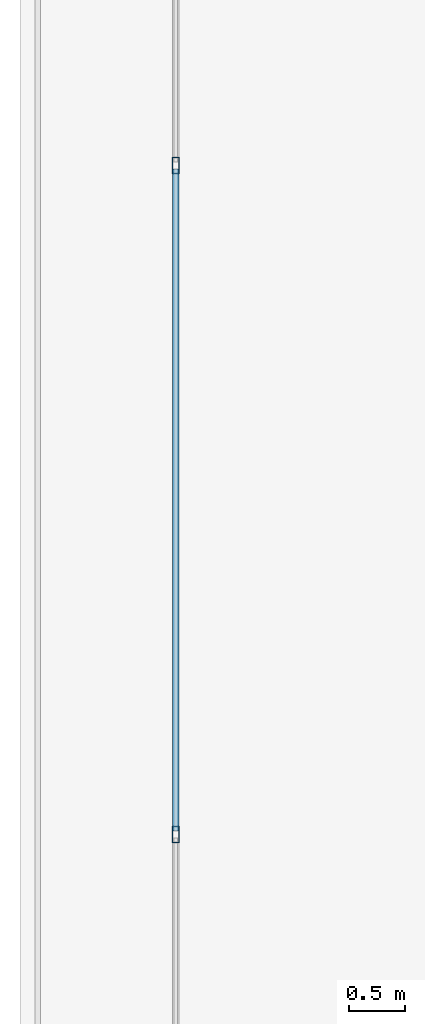
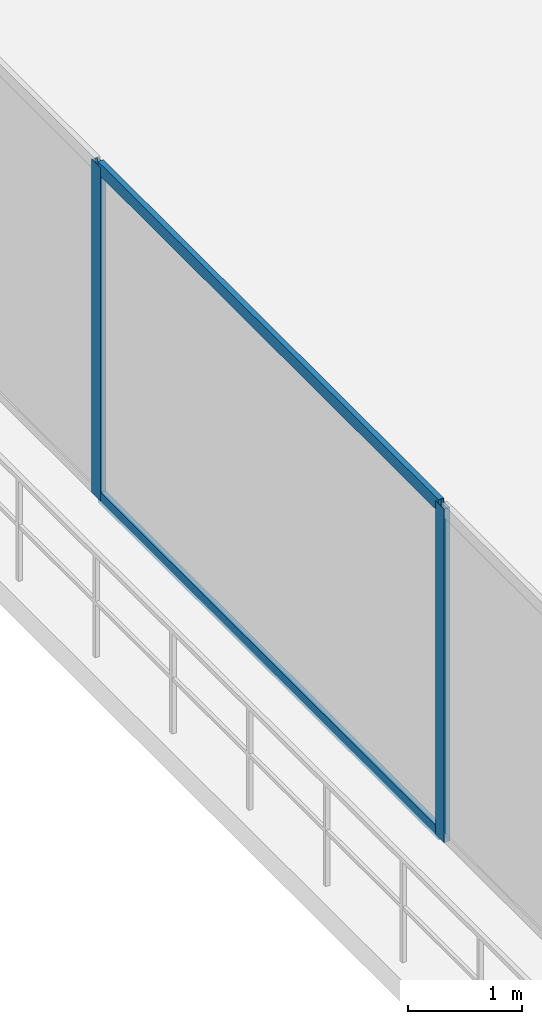
# One storey, part 4 of 19: 4 members, 1 element without a shape of its own.
"""IFC4 building model written with IfcOpenShell, lengths in metres."""

import ifcopenshell
import ifcopenshell.guid

model = None  # the IFC model being written
_history = None  # IfcOwnerHistory: only IFC2X3 demands one
_inside = {}  # id of a spatial element -> (the spatial element, [elements in it])
_under = {}  # id of a project, library or spatial element -> (it, [spatial elements below it])
_declared = {}  # id of a project -> (the project, [libraries it declares])
_typed = {}  # id of a type object -> (the type object, [elements of that type])
_made_of = {}  # id of a material, layer set ... -> (it, [elements and type objects made of it])


def new_model(schema):
    """Start an empty IFC model of exactly this schema.

    Asked for "IFC4X3", IfcOpenShell would pick the latest addendum, in which some entities
    have other attributes; the version numbers below select the first issue.
    IFC2X3 requires an IfcOwnerHistory on every rooted entity: one is made here for all.
    """
    global model, _history
    if schema == "IFC4X3":
        model = ifcopenshell.file(schema_version=(4, 3, 0, 0))
    else:
        model = ifcopenshell.file(schema=schema)
    _inside.clear()
    _under.clear()
    _declared.clear()
    _typed.clear()
    _made_of.clear()
    _history = None
    if model.schema == "IFC2X3":
        org = make("IfcOrganization", Name="unknown")
        user = make(
            "IfcPersonAndOrganization",
            ThePerson=make("IfcPerson", FamilyName="unknown"),
            TheOrganization=org,
        )
        app = make(
            "IfcApplication",
            ApplicationDeveloper=org,
            Version="unknown",
            ApplicationFullName="unknown",
            ApplicationIdentifier="unknown",
        )
        _history = make(
            "IfcOwnerHistory",
            OwningUser=user,
            OwningApplication=app,
            ChangeAction="ADDED",
            CreationDate=0,
        )
    return model


def make(cls, **values):
    """One entity of the class cls with the attributes given. An attribute that is None is left unset."""
    return model.create_entity(
        cls, **{name: value for name, value in values.items() if value is not None}
    )


def rooted(cls, **values):
    """An entity with a GlobalId (a new one), such as an element, a storey or a relation."""
    return make(cls, GlobalId=ifcopenshell.guid.new(), OwnerHistory=_history, **values)


def si_unit(unit_type, name, prefix=None):
    """IfcSIUnit, for example si_unit("LENGTHUNIT", "METRE", prefix="MILLI")."""
    return make("IfcSIUnit", UnitType=unit_type, Prefix=prefix, Name=name)


def assignment(units):
    """IfcUnitAssignment: the units of a project."""
    return None if units is None else make("IfcUnitAssignment", Units=units)


def point(xyz):
    """IfcCartesianPoint."""
    return None if xyz is None else make("IfcCartesianPoint", Coordinates=xyz)


def direction(xyz):
    """IfcDirection."""
    return None if xyz is None else make("IfcDirection", DirectionRatios=xyz)


def frame(location, z_axis=None, x_axis=None):
    """IfcAxis2Placement3D, a coordinate frame: its origin and axes. An axis left out is left unset."""
    return make(
        "IfcAxis2Placement3D",
        Location=point(location),
        Axis=direction(z_axis),
        RefDirection=direction(x_axis),
    )


def frame_2d(location, x_axis=None):
    """IfcAxis2Placement2D, a coordinate frame in the plane: its origin and x axis."""
    return make(
        "IfcAxis2Placement2D", Location=point(location), RefDirection=direction(x_axis)
    )


def origin():
    """The frame at (0, 0, 0) with its axes left unset."""
    return frame((0.0, 0.0, 0.0))


def origin_2d():
    """The frame at (0, 0) in the plane with its x axis left unset."""
    return frame_2d((0.0, 0.0))


def place(relative_to, where):
    """IfcLocalPlacement: puts the frame where relative to a parent placement (None: the world)."""
    return make(
        "IfcLocalPlacement", PlacementRelTo=relative_to, RelativePlacement=where
    )


def context(
    kind, dimensions, precision=None, world=None, true_north=None, identifier=None
):
    """IfcGeometricRepresentationContext, for example the 3D "Model" context."""
    return make(
        "IfcGeometricRepresentationContext",
        ContextIdentifier=identifier,
        ContextType=kind,
        CoordinateSpaceDimension=dimensions,
        Precision=precision,
        WorldCoordinateSystem=world,
        TrueNorth=true_north,
    )


def subcontext(parent, identifier, kind, view, scale=None):
    """IfcGeometricRepresentationSubContext, for example "Body" below "Model"."""
    return make(
        "IfcGeometricRepresentationSubContext",
        ContextIdentifier=identifier,
        ContextType=kind,
        ParentContext=parent,
        TargetScale=scale,
        TargetView=view,
    )


def project(units=None, contexts=None):
    """IfcProject with its units and contexts."""
    return rooted(
        "IfcProject",
        Name="project",
        RepresentationContexts=contexts,
        UnitsInContext=assignment(units),
    )


def spatial(cls, under=None, at=None, **own):
    """A site, building, storey or space (cls), placed at a placement, below another one or the project."""
    s = rooted(cls, ObjectPlacement=at, **own)
    if under is not None:
        _under.setdefault(under.id(), (under, []))[1].append(s)
    return s


def profile(cls, at=None, kind="AREA", **sizes):
    """A parametric profile (cls). Its sizes go by their IFC names, for example OverallWidth=200.0."""
    return make(cls, ProfileType=kind, Position=at, **sizes)


def hollow_rectangle(**sizes):
    """IfcRectangleHollowProfileDef."""
    return profile("IfcRectangleHollowProfileDef", **sizes)


def extrude(swept, where, along, depth):
    """IfcExtrudedAreaSolid: the profile swept, set in the frame where, extruded along a direction by depth."""
    return make(
        "IfcExtrudedAreaSolid",
        SweptArea=swept,
        Position=where,
        ExtrudedDirection=direction(along),
        Depth=depth,
    )


def shape(context_of_items, identifier, shape_type, items):
    """IfcShapeRepresentation: the items that make up one representation, for example the "Body"."""
    return make(
        "IfcShapeRepresentation",
        ContextOfItems=context_of_items,
        RepresentationIdentifier=identifier,
        RepresentationType=shape_type,
        Items=items,
    )


def material(Name=None, Category=None):
    """IfcMaterial."""
    return make("IfcMaterial", Name=Name, Category=Category)


def layer(
    of_material, thickness, ventilated=None, Name=None, Category=None, Priority=None
):
    """IfcMaterialLayer: one layer of a wall or slab, of a material (None: an air gap)."""
    return make(
        "IfcMaterialLayer",
        Material=of_material,
        LayerThickness=thickness,
        IsVentilated=ventilated,
        Name=Name,
        Category=Category,
        Priority=Priority,
    )


def layer_set(layers, Name=None):
    """IfcMaterialLayerSet."""
    return make("IfcMaterialLayerSet", MaterialLayers=layers, LayerSetName=Name)


def material_profile(
    of_material, cross_section, Name=None, Category=None, Priority=None
):
    """IfcMaterialProfile: a cross section and its material."""
    return make(
        "IfcMaterialProfile",
        Name=Name,
        Material=of_material,
        Profile=cross_section,
        Priority=Priority,
        Category=Category,
    )


def profile_set(profiles, Name=None, composite=None):
    """IfcMaterialProfileSet."""
    return make(
        "IfcMaterialProfileSet",
        Name=Name,
        MaterialProfiles=profiles,
        CompositeProfile=composite,
    )


def made_of(thing, what):
    """Note that an element or type object is made of a material, layer set ...; save() writes the relation."""
    if what is not None:
        _made_of.setdefault(what.id(), (what, []))[1].append(thing)
    return thing


def type_object(cls, material=None, **own):
    """A type object (cls), such as IfcWallType, which elements share."""
    return made_of(rooted(cls, **own), material)


def element(
    cls,
    number,
    at=None,
    inside=None,
    cuts=None,
    type_object=None,
    material=None,
    context=None,
    identifier="Body",
    shape_type=None,
    held_by="IfcProductDefinitionShape",
    body=None,
    shapes=None,
    **own,
):
    """One element of the class cls, such as IfcWall. Its Tag is "e" and its number.

    at: its placement. inside: the storey or other place that contains it. cuts: it is an
    opening in that element (IfcRelVoidsElement). A single representation is given by context,
    identifier, shape_type and body (its items); several are given by shapes. held_by: the class
    of the entity that holds the representations. save() writes the other relations.
    """
    e = rooted(cls, Tag="e%d" % number, ObjectPlacement=at, **own)
    if body is not None:
        shapes = [shape(context, identifier, shape_type, body)]
    if shapes is not None:
        e.Representation = make(held_by, Representations=shapes)
    if inside is not None:
        _inside.setdefault(inside.id(), (inside, []))[1].append(e)
    if cuts is not None:
        rooted(
            "IfcRelVoidsElement", RelatingBuildingElement=cuts, RelatedOpeningElement=e
        )
    if type_object is not None:
        _typed.setdefault(type_object.id(), (type_object, []))[1].append(e)
    return made_of(e, material)


def aggregate(whole, parts):
    """IfcRelAggregates: a whole, such as a stair, and the parts it consists of."""
    return rooted("IfcRelAggregates", RelatingObject=whole, RelatedObjects=parts)


def save(model, path):
    """Write the relations noted so far, then the file.

    IfcRelAggregates (storeys below a building ...), IfcRelContainedInSpatialStructure (elements
    in a storey), IfcRelDefinesByType, IfcRelAssociatesMaterial and IfcRelDeclares: one each for
    every whole, place, type object, material and project.
    """
    for whole, parts in _under.values():
        aggregate(whole, parts)
    for where, things in _inside.values():
        rooted(
            "IfcRelContainedInSpatialStructure",
            RelatedElements=things,
            RelatingStructure=where,
        )
    for kind, things in _typed.values():
        rooted("IfcRelDefinesByType", RelatedObjects=things, RelatingType=kind)
    for what, things in _made_of.values():
        rooted("IfcRelAssociatesMaterial", RelatedObjects=things, RelatingMaterial=what)
    for by, libraries in _declared.values():
        rooted("IfcRelDeclares", RelatingContext=by, RelatedDefinitions=libraries)
    model.write(path)


model = new_model("IFC4")

# Units and contexts
model_context = context("Model", 3, precision=1e-05, world=origin(), true_north=direction((0.0, 1.0)))
body_context = subcontext(model_context, "Body", "Model", "MODEL_VIEW")
ifc_project = project(units=[si_unit("LENGTHUNIT", "METRE"), si_unit("AREAUNIT", "SQUARE_METRE"), si_unit("VOLUMEUNIT", "CUBIC_METRE"), si_unit("PLANEANGLEUNIT", "RADIAN"), si_unit("MASSUNIT", "GRAM", prefix="KILO")], contexts=[model_context])

# Site, building, storey
site_placement = place(None, origin())
site = spatial("IfcSite", under=ifc_project, at=site_placement, CompositionType="ELEMENT")
building_placement = place(site_placement, origin())
building = spatial("IfcBuilding", under=site, at=building_placement, Name="Zuhayl Quay Hotel", CompositionType="ELEMENT")
storey_placement = place(building_placement, frame((0.0, 0.0, 304.85009765625)))
storey = spatial("IfcBuildingStorey", under=building, at=storey_placement, Name="Crown 3", CompositionType="ELEMENT", Elevation=304.85009765625)

# Curtain wall, members
ifc_material_1 = material(Name="Anodised Aluminium 6063-T6", Category="aluminium")
ifc_layer = layer(ifc_material_1, 0.159912109375, Name="Anodised Aluminium 6063-T6", Category="aluminium")
ifc_layer_set = layer_set([ifc_layer], Name="Anodised Aluminium 6063-T6")
curtain_wall_type = type_object("IfcCurtainWallType", Name="CW_SYS_CRN", PredefinedType="USERDEFINED", material=ifc_layer_set)
curtain_wall_placement = place(storey_placement, origin())
curtain_wall = element("IfcCurtainWall", 1, at=curtain_wall_placement, inside=storey, type_object=curtain_wall_type, Name="Crown 3 Curtain Wall ENV_CR3_E1_CW1", ObjectType="UNITISED CURTAIN WALL", PredefinedType="USERDEFINED")
ifc_material_2 = material(Name="Black-anodised aluminium 6063-T6", Category="aluminium")
ifc_material_profile_1 = material_profile(ifc_material_2, hollow_rectangle(XDim=0.06005859375, YDim=0.14990234375, WallThickness=0.00341796875, at=origin_2d()), Name="ALU150X60")
ifc_profile_set_1 = profile_set([ifc_material_profile_1], Name="Black-anodised aluminium 6063-T6")
member_type_1 = type_object("IfcMemberType", Name="MB_CW_MUL_150", PredefinedType="MULLION", material=ifc_profile_set_1)
member_1_placement = place(storey_placement, frame((-17.199951171875, 16.96240234375, 0.0), z_axis=(0.0, 0.0, 1.0), x_axis=(-1.0, 0.0, 0.0)))
member_1 = element("IfcMember", 2, at=member_1_placement, type_object=member_type_1, Name="CW-CRN mullion 2", PredefinedType="MULLION", context=body_context, shape_type="SweptSolid", body=[
    extrude(hollow_rectangle(XDim=0.06005859375, YDim=0.14990234375, WallThickness=0.00341796875, at=origin_2d()), origin(), (0.0, 0.0, 1.0), 3.559814453125),
])
member_2_placement = place(storey_placement, frame((-17.199951171875, 22.97509765625, 0.0), z_axis=(0.0, 0.0, 1.0), x_axis=(-1.0, 0.0, 0.0)))
member_2 = element("IfcMember", 3, at=member_2_placement, type_object=member_type_1, Name="CW-CRN mullion 3", PredefinedType="MULLION", context=body_context, shape_type="SweptSolid", body=[
    extrude(hollow_rectangle(XDim=0.06005859375, YDim=0.14990234375, WallThickness=0.00341796875, at=origin_2d()), origin(), (0.0, 0.0, 1.0), 3.559814453125),
])
ifc_material_profile_2 = material_profile(ifc_material_2, hollow_rectangle(XDim=0.054931640625, YDim=0.1298828125, WallThickness=0.0029296875, at=origin_2d()), Name="ALU130X55")
ifc_profile_set_2 = profile_set([ifc_material_profile_2], Name="Black-anodised aluminium 6063-T6")
member_type_2 = type_object("IfcMemberType", Name="MB_CW_TRN_130", PredefinedType="USERDEFINED", material=ifc_profile_set_2)
member_3_placement = place(storey_placement, frame((-17.199951171875, 16.992431640625, 0.02734375), z_axis=(0.0, 1.0, 0.0), x_axis=(-1.0, 0.0, 0.0)))
member_3 = element("IfcMember", 4, at=member_3_placement, type_object=member_type_2, Name="CW-CRN transom 2.1", ObjectType="TRANSOM", PredefinedType="USERDEFINED", context=body_context, shape_type="SweptSolid", body=[
    extrude(hollow_rectangle(XDim=0.054931640625, YDim=0.1298828125, WallThickness=0.0029296875, at=origin_2d()), origin(), (0.0, 0.0, 1.0), 5.95263671875),
])
member_4_placement = place(storey_placement, frame((-17.199951171875, 16.992431640625, 3.532470703125), z_axis=(0.0, 1.0, 0.0), x_axis=(-1.0, 0.0, 0.0)))
member_4 = element("IfcMember", 5, at=member_4_placement, type_object=member_type_2, Name="CW-CRN transom 2.2", ObjectType="TRANSOM", PredefinedType="USERDEFINED", context=body_context, shape_type="SweptSolid", body=[
    extrude(hollow_rectangle(XDim=0.054931640625, YDim=0.1298828125, WallThickness=0.0029296875, at=origin_2d()), origin(), (0.0, 0.0, 1.0), 5.95263671875),
])
aggregate(curtain_wall, [member_1, member_2, member_3, member_4])

save(model, "model.ifc")
